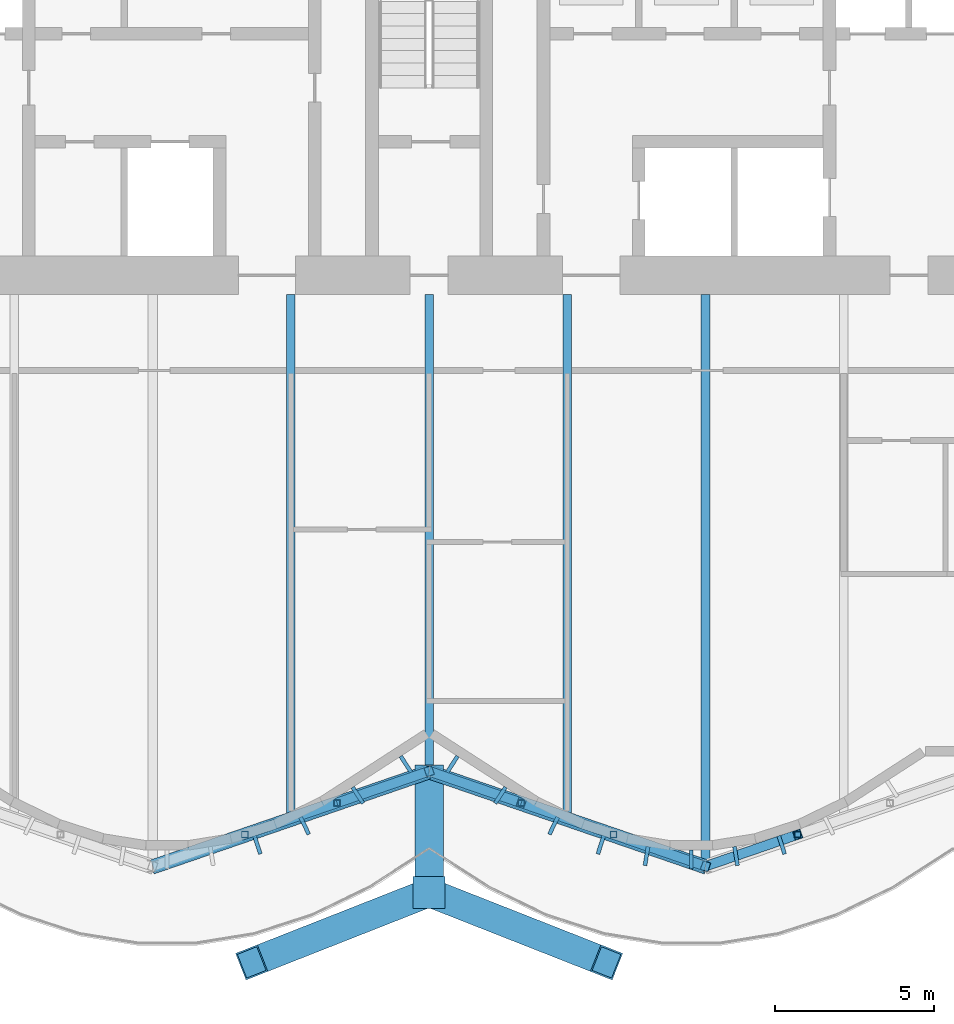
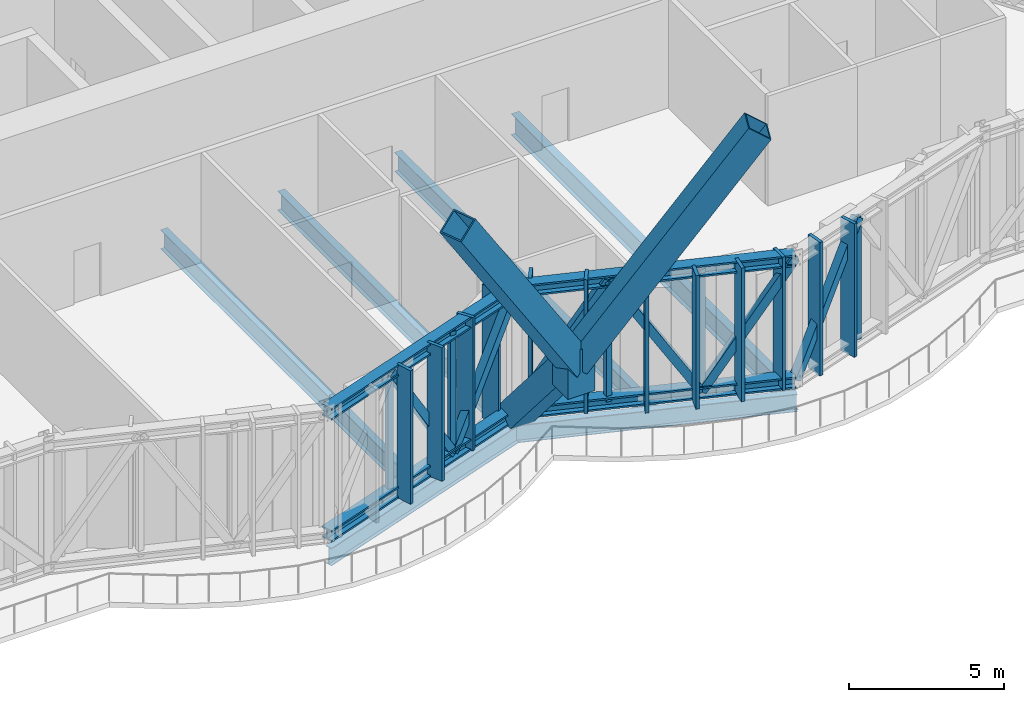
# One storey, part 11 of 31: 31 members, 6 beams, 1 element without a shape of its own.
"""IFC4 building model written with IfcOpenShell, lengths in metres."""

from ifc_helpers import new_model, si_unit, direction, frame, origin, origin_2d, place, context, subcontext, project, spatial, rectangle, hollow_rectangle, i_section, extrude, material, material_profile, profile_set, type_object, element, aggregate, save


model = new_model("IFC4")

# Units and contexts
model_context = context("Model", 3, precision=1e-05, world=origin(), true_north=direction((0.0, 1.0)))
body_context = subcontext(model_context, "Body", "Model", "MODEL_VIEW")
ifc_project = project(units=[si_unit("LENGTHUNIT", "METRE"), si_unit("AREAUNIT", "SQUARE_METRE"), si_unit("VOLUMEUNIT", "CUBIC_METRE"), si_unit("PLANEANGLEUNIT", "RADIAN"), si_unit("MASSUNIT", "GRAM", prefix="KILO")], contexts=[model_context])

# Site, building, storey
site_placement = place(None, origin())
site = spatial("IfcSite", under=ifc_project, at=site_placement, CompositionType="ELEMENT")
building_placement = place(site_placement, origin())
building = spatial("IfcBuilding", under=site, at=building_placement, Name="Bicima Exchange Tower", CompositionType="ELEMENT")
storey_placement = place(building_placement, frame((0.0, 0.0, 236.0)))
storey = spatial("IfcBuildingStorey", under=building, at=storey_placement, Name="L53", CompositionType="ELEMENT", Elevation=236.0)

# Curtain wall, members
ifc_material_1 = material(Name="Anodised bronze aluminium", Category="aluminium")
curtain_wall_type = type_object("IfcCurtainWallType", Name="Band blade screen", PredefinedType="NOTDEFINED", material=ifc_material_1)
curtain_wall_placement = place(storey_placement, origin())
curtain_wall = element("IfcCurtainWall", 1, at=curtain_wall_placement, inside=storey, type_object=curtain_wall_type, Name="Band blade screen L53", PredefinedType="NOTDEFINED")
ifc_material_profile_1 = material_profile(ifc_material_1, rectangle(XDim=0.60009765625, YDim=0.1201171875, at=origin_2d()))
ifc_profile_set_1 = profile_set([ifc_material_profile_1], Name="Anodised bronze aluminium")
member_type_1 = type_object("IfcMemberType", Name="Band blade fin 600 x 120", PredefinedType="USERDEFINED", material=ifc_profile_set_1)
member_1_placement = place(storey_placement, frame((-5.403564453125, -30.330078125, 0.0), z_axis=(0.0, 0.0, 1.0), x_axis=(-0.307552591055, 0.951531083956, 0.0)))
member_1 = element("IfcMember", 2, at=member_1_placement, type_object=member_type_1, Name="Band blade fin 31", ObjectType="FIN", PredefinedType="USERDEFINED", context=body_context, shape_type="SweptSolid", body=[
    extrude(rectangle(XDim=0.60009765625, YDim=0.1201171875, at=origin_2d()), origin(), (0.0, 0.0, 1.0), 5.25),
])
member_2_placement = place(storey_placement, frame((-3.916259765625, -29.7265625, 0.0), z_axis=(0.0, 0.0, 1.0), x_axis=(-0.436286748784, 0.899807686584, 0.0)))
member_2 = element("IfcMember", 3, at=member_2_placement, type_object=member_type_1, Name="Band blade fin 32", ObjectType="FIN", PredefinedType="USERDEFINED", context=body_context, shape_type="SweptSolid", body=[
    extrude(rectangle(XDim=0.60009765625, YDim=0.1201171875, at=origin_2d()), origin(), (0.0, 0.0, 1.0), 5.25),
])
member_3_placement = place(storey_placement, frame((-2.242919921875, -28.766845703125, 0.0), z_axis=(0.0, 0.0, 1.0), x_axis=(-0.542909183079, 0.839791413941, 0.0)))
member_3 = element("IfcMember", 4, at=member_3_placement, type_object=member_type_1, Name="Band blade fin 33", ObjectType="FIN", PredefinedType="USERDEFINED", context=body_context, shape_type="SweptSolid", body=[
    extrude(rectangle(XDim=0.60009765625, YDim=0.1201171875, at=origin_2d()), origin(), (0.0, 0.0, 1.0), 5.25),
])
member_4_placement = place(storey_placement, frame((-0.731201171875, -27.789794921875, 0.0), z_axis=(0.0, 0.0, 1.0), x_axis=(-0.542909183079, 0.839791413941, 0.0)))
member_4 = element("IfcMember", 5, at=member_4_placement, type_object=member_type_1, Name="Band blade fin 34", ObjectType="FIN", PredefinedType="USERDEFINED", context=body_context, shape_type="SweptSolid", body=[
    extrude(rectangle(XDim=0.60009765625, YDim=0.1201171875, at=origin_2d()), origin(), (0.0, 0.0, 1.0), 5.25),
])
member_5_placement = place(storey_placement, frame((0.731201171875, -27.789794921875, 0.0), z_axis=(0.0, 0.0, 1.0), x_axis=(0.542909183079, 0.839791413941, 0.0)))
member_5 = element("IfcMember", 6, at=member_5_placement, type_object=member_type_1, Name="Band blade fin 35", ObjectType="FIN", PredefinedType="USERDEFINED", context=body_context, shape_type="SweptSolid", body=[
    extrude(rectangle(XDim=0.60009765625, YDim=0.1201171875, at=origin_2d()), origin(), (0.0, 0.0, 1.0), 5.25),
])
member_6_placement = place(storey_placement, frame((2.242919921875, -28.766845703125, 0.0), z_axis=(0.0, 0.0, 1.0), x_axis=(0.542909183079, 0.839791413941, 0.0)))
member_6 = element("IfcMember", 7, at=member_6_placement, type_object=member_type_1, Name="Band blade fin 36", ObjectType="FIN", PredefinedType="USERDEFINED", context=body_context, shape_type="SweptSolid", body=[
    extrude(rectangle(XDim=0.60009765625, YDim=0.1201171875, at=origin_2d()), origin(), (0.0, 0.0, 1.0), 5.25),
])
member_7_placement = place(storey_placement, frame((3.916259765625, -29.7265625, 0.0), z_axis=(0.0, 0.0, 1.0), x_axis=(0.436286748784, 0.899807686584, 0.0)))
member_7 = element("IfcMember", 8, at=member_7_placement, type_object=member_type_1, Name="Band blade fin 37", ObjectType="FIN", PredefinedType="USERDEFINED", context=body_context, shape_type="SweptSolid", body=[
    extrude(rectangle(XDim=0.60009765625, YDim=0.1201171875, at=origin_2d()), origin(), (0.0, 0.0, 1.0), 5.25),
])
member_8_placement = place(storey_placement, frame((5.403564453125, -30.330078125, 0.0), z_axis=(0.0, 0.0, 1.0), x_axis=(0.307552591055, 0.951531083956, 0.0)))
member_8 = element("IfcMember", 9, at=member_8_placement, type_object=member_type_1, Name="Band blade fin 38", ObjectType="FIN", PredefinedType="USERDEFINED", context=body_context, shape_type="SweptSolid", body=[
    extrude(rectangle(XDim=0.60009765625, YDim=0.1201171875, at=origin_2d()), origin(), (0.0, 0.0, 1.0), 5.25),
])
member_9_placement = place(storey_placement, frame((6.84130859375, -30.680419921875, 0.0), z_axis=(0.0, 0.0, 1.0), x_axis=(0.159533156447, 0.987192570877, 0.0)))
member_9 = element("IfcMember", 10, at=member_9_placement, type_object=member_type_1, Name="Band blade fin 39", ObjectType="FIN", PredefinedType="USERDEFINED", context=body_context, shape_type="SweptSolid", body=[
    extrude(rectangle(XDim=0.60009765625, YDim=0.1201171875, at=origin_2d()), origin(), (0.0, 0.0, 1.0), 5.25),
])
member_10_placement = place(storey_placement, frame((8.25, -30.794921875, 0.0), z_axis=(0.0, 0.0, 1.0), x_axis=(0.0, 1.0, 0.0)))
member_10 = element("IfcMember", 11, at=member_10_placement, type_object=member_type_1, Name="Band blade fin 40", ObjectType="FIN", PredefinedType="USERDEFINED", context=body_context, shape_type="SweptSolid", body=[
    extrude(rectangle(XDim=0.60009765625, YDim=0.1201171875, at=origin_2d()), origin(), (0.0, 0.0, 1.0), 5.25),
])
member_11_placement = place(storey_placement, frame((9.65869140625, -30.680419921875, 0.0), z_axis=(0.0, 0.0, 1.0), x_axis=(-0.159533156447, 0.987192570877, 0.0)))
member_11 = element("IfcMember", 12, at=member_11_placement, type_object=member_type_1, Name="Band blade fin 41", ObjectType="FIN", PredefinedType="USERDEFINED", context=body_context, shape_type="SweptSolid", body=[
    extrude(rectangle(XDim=0.60009765625, YDim=0.1201171875, at=origin_2d()), origin(), (0.0, 0.0, 1.0), 5.25),
])
member_12_placement = place(storey_placement, frame((11.096435546875, -30.330078125, 0.0), z_axis=(0.0, 0.0, 1.0), x_axis=(-0.307552591055, 0.951531083956, 0.0)))
member_12 = element("IfcMember", 13, at=member_12_placement, type_object=member_type_1, Name="Band blade fin 42", ObjectType="FIN", PredefinedType="USERDEFINED", context=body_context, shape_type="SweptSolid", body=[
    extrude(rectangle(XDim=0.60009765625, YDim=0.1201171875, at=origin_2d()), origin(), (0.0, 0.0, 1.0), 5.25),
])
aggregate(curtain_wall, [member_1, member_2, member_3, member_4, member_5, member_6, member_7, member_8, member_9, member_10, member_11, member_12])

# Members
ifc_material_2 = material(Name="Steel ASTM A992 Gr 50", Category="steel")
ifc_material_profile_2 = material_profile(ifc_material_2, i_section(OverallWidth=0.419189453125, OverallDepth=0.45458984375, WebThickness=0.042236328125, FlangeThickness=0.067626953125, at=origin_2d()))
ifc_profile_set_2 = profile_set([ifc_material_profile_2], Name="Steel ASTM A992 Gr 50")
member_type_2 = type_object("IfcMemberType", Name="Belt truss chord W14x370", PredefinedType="CHORD", material=ifc_profile_set_2)
for number, where, z_axis, x_axis, name in (
    (14, (-8.699951171875, -31.001220703125, 5.022705078125), (0.945666456746, 0.325138359143, 0.0), (-0.325138359143, 0.945666456746, 0.0), "Top chord"),
    (15, (-8.699951171875, -31.001220703125, 0.227294921875), (0.945666456746, 0.325138359143, 0.0), (-0.325138359143, 0.945666456746, 0.0), "Bottom chord"),
    (16, (0.0, -28.010009765625, 5.022705078125), (0.945666456746, -0.325138359143, 0.0), (0.325138359143, 0.945666456746, 0.0), "Top chord"),
    (17, (0.0, -28.010009765625, 0.227294921875), (0.945666456746, -0.325138359143, 0.0), (0.325138359143, 0.945666456746, 0.0), "Bottom chord"),
):
    element("IfcMember", number, at=place(storey_placement, frame(where, z_axis=z_axis, x_axis=x_axis)), inside=storey, type_object=member_type_2, Name=name, PredefinedType="CHORD", context=body_context, shape_type="SweptSolid", body=[
        extrude(i_section(OverallWidth=0.419189453125, OverallDepth=0.45458984375, WebThickness=0.042236328125, FlangeThickness=0.067626953125, at=origin_2d()), origin(), (0.0, 0.0, 1.0), 9.19970703125),
    ])
ifc_material_3 = material(Name="Steel ASTM A572 Gr 50", Category="steel")
ifc_material_profile_3 = material_profile(ifc_material_3, hollow_rectangle(XDim=0.3046875, YDim=0.3046875, WallThickness=0.01171875, at=origin_2d()))
ifc_profile_set_3 = profile_set([ifc_material_profile_3], Name="Steel ASTM A572 Gr 50")
member_type_3 = type_object("IfcMemberType", Name="Belt truss diagonal HSS12x12x1/2", PredefinedType="STRUT", material=ifc_profile_set_3)
for number, where, z_axis, x_axis, name in (
    (18, (-5.800048828125, -30.00390625, 5.022705078125), (0.509500101887, 0.175123235626, -0.842461570946), (-0.325050844265, 0.94569654152, 0.0), "Truss diagonal"),
    (19, (-2.89990234375, -29.007080078125, 0.227294921875), (0.509464516765, 0.175168638362, 0.842473651987), (-0.325146518908, 0.945663651222, 0.0), "Truss diagonal"),
    (20, (0.0, -28.010009765625, 0.227294921875), (0.509464516765, -0.175168638362, 0.842473651987), (0.325146518908, 0.945663651222, 0.0), "Truss diagonal"),
    (21, (2.89990234375, -29.007080078125, 5.022705078125), (0.509500101887, -0.175123235626, -0.842461570946), (0.325050844265, 0.94569654152, 0.0), "Truss diagonal"),
    (22, (5.800048828125, -30.00390625, 0.227294921875), (0.509460688613, -0.17521021325, 0.842467321581), (0.325217713975, 0.945639169301, 0.0), "Truss diagonal"),
    (23, (8.699951171875, -31.001220703125, 0.227294921875), (0.509492446291, 0.175206384637, 0.842448912371), (-0.325193231743, 0.945647588708, 0.0), "Truss diagonal"),
):
    element("IfcMember", number, at=place(storey_placement, frame(where, z_axis=z_axis, x_axis=x_axis)), inside=storey, type_object=member_type_3, Name=name, PredefinedType="STRUT", context=body_context, shape_type="SweptSolid", body=[
        extrude(hollow_rectangle(XDim=0.3046875, YDim=0.3046875, WallThickness=0.01171875, at=origin_2d()), origin(), (0.0, 0.0, 1.0), 5.692138671875),
    ])
ifc_material_profile_4 = material_profile(ifc_material_3, hollow_rectangle(XDim=0.203125, YDim=0.203125, WallThickness=0.01171875, at=origin_2d()))
ifc_profile_set_4 = profile_set([ifc_material_profile_4], Name="Steel ASTM A572 Gr 50")
member_type_4 = type_object("IfcMemberType", Name="Belt truss post HSS8x8x1/2", PredefinedType="POST", material=ifc_profile_set_4)
for number, where, z_axis, x_axis, name in (
    (24, (-5.800048828125, -30.00390625, 0.227294921875), (0.0, 0.0, 1.0), (1.0, 0.0, 0.0), "Truss post"),
    (25, (-2.89990234375, -29.007080078125, 0.227294921875), (0.0, 0.0, 1.0), (1.0, 0.0, 0.0), "Truss post"),
    (26, (2.89990234375, -29.007080078125, 0.227294921875), (0.0, 0.0, 1.0), (1.0, 0.0, 0.0), "Truss post"),
    (27, (5.800048828125, -30.00390625, 0.227294921875), (0.0, 0.0, 1.0), (1.0, 0.0, 0.0), "Truss post"),
    (28, (11.60009765625, -30.00390625, 0.227294921875), (0.0, 0.0, 1.0), (1.0, 0.0, 0.0), "Truss post"),
):
    element("IfcMember", number, at=place(storey_placement, frame(where, z_axis=z_axis, x_axis=x_axis)), inside=storey, type_object=member_type_4, Name=name, PredefinedType="POST", context=body_context, shape_type="SweptSolid", body=[
        extrude(hollow_rectangle(XDim=0.203125, YDim=0.203125, WallThickness=0.01171875, at=origin_2d()), origin(), (0.0, 0.0, 1.0), 4.79541015625),
    ])
ifc_material_profile_5 = material_profile(ifc_material_3, hollow_rectangle(XDim=0.89990234375, YDim=0.89990234375, WallThickness=0.050048828125, at=origin_2d()))
ifc_profile_set_5 = profile_set([ifc_material_profile_5], Name="Steel ASTM A572 Gr 50")
member_type_5 = type_object("IfcMemberType", Name="Exo mega brace BOX 900x900x50", PredefinedType="BRACE", material=ifc_profile_set_5)
for number, where, z_axis, x_axis, name in (
    (29, (0.0, -31.82861328125, 4.5), (0.532420302499, -0.209648206043, 0.820107463196), (0.366383630861, 0.93046388164, 0.0), "Exo mega brace front"),
    (30, (0.0, -31.82861328125, 4.5), (-0.532420302499, -0.209648206043, 0.820107463196), (0.366383630861, -0.93046388164, 0.0), "Exo mega brace front"),
):
    element("IfcMember", number, at=place(storey_placement, frame(where, z_axis=z_axis, x_axis=x_axis)), inside=storey, type_object=member_type_5, Name=name, PredefinedType="BRACE", context=body_context, shape_type="SweptSolid", body=[
        extrude(hollow_rectangle(XDim=0.89990234375, YDim=0.89990234375, WallThickness=0.050048828125, at=origin_2d()), origin(), (0.0, 0.0, 1.0), 10.486572265625),
    ])
ifc_material_4 = material(Name="Cast steel ASTM A216 Gr WCB", Category="steel")
ifc_material_profile_6 = material_profile(ifc_material_4, rectangle(XDim=1.0, YDim=1.0, at=origin_2d()))
ifc_profile_set_6 = profile_set([ifc_material_profile_6], Name="Cast steel ASTM A216 Gr WCB")
member_type_6 = type_object("IfcMemberType", Name="Exo node block", PredefinedType="POST", material=ifc_profile_set_6)
member_13_placement = place(storey_placement, frame((0.0, -31.82861328125, 3.449951171875), z_axis=(0.0, 0.0, 1.0), x_axis=(1.0, 0.0, 0.0)))
element("IfcMember", 31, at=member_13_placement, inside=storey, type_object=member_type_6, Name="Exo node block", PredefinedType="POST", context=body_context, shape_type="SweptSolid", body=[
    extrude(rectangle(XDim=1.0, YDim=1.0, at=origin_2d()), origin(), (0.0, 0.0, 1.0), 1.800048828125),
])
member_type_7 = type_object("IfcMemberType", Name="Exo outrigger stub BOX 900x900x50", PredefinedType="STRUT", material=ifc_profile_set_5)
member_14_placement = place(storey_placement, frame((0.0, -28.159912109375, 0.227294921875), z_axis=(0.0, -0.651444466604, 0.758696320626), x_axis=(1.0, 0.0, 0.0)))
element("IfcMember", 32, at=member_14_placement, inside=storey, type_object=member_type_7, Name="Exo outrigger stub", PredefinedType="STRUT", context=body_context, shape_type="SweptSolid", body=[
    extrude(hollow_rectangle(XDim=0.89990234375, YDim=0.89990234375, WallThickness=0.050048828125, at=origin_2d()), origin(), (0.0, 0.0, 1.0), 5.631591796875),
])

# Beams
ifc_material_profile_7 = material_profile(ifc_material_2, i_section(OverallWidth=0.2666015625, OverallDepth=0.75439453125, WebThickness=0.01318359375, FlangeThickness=0.01708984375, at=origin_2d()))
ifc_profile_set_7 = profile_set([ifc_material_profile_7], Name="Steel ASTM A992 Gr 50")
beam_type_1 = type_object("IfcBeamType", Name="Floor beam W30x99", PredefinedType="JOIST", material=ifc_profile_set_7)
beam_1_placement = place(storey_placement, frame((-4.35009765625, -13.0, -0.5771484375), z_axis=(0.0, -1.0, 0.0), x_axis=(1.0, 0.0, 0.0)))
element("IfcBeam", 33, at=beam_1_placement, inside=storey, type_object=beam_type_1, Name="Floor beam", PredefinedType="JOIST", context=body_context, shape_type="SweptSolid", body=[
    extrude(i_section(OverallWidth=0.2666015625, OverallDepth=0.75439453125, WebThickness=0.01318359375, FlangeThickness=0.01708984375, at=origin_2d()), origin(), (0.0, 0.0, 1.0), 16.491943359375),
])
beam_2_placement = place(storey_placement, frame((0.0, -13.0, -0.5771484375), z_axis=(0.0, -1.0, 0.0), x_axis=(1.0, 0.0, 0.0)))
element("IfcBeam", 34, at=beam_2_placement, inside=storey, type_object=beam_type_1, Name="Floor beam", PredefinedType="JOIST", context=body_context, shape_type="SweptSolid", body=[
    extrude(i_section(OverallWidth=0.2666015625, OverallDepth=0.75439453125, WebThickness=0.01318359375, FlangeThickness=0.01708984375, at=origin_2d()), origin(), (0.0, 0.0, 1.0), 15.132080078125),
])
beam_3_placement = place(storey_placement, frame((4.35009765625, -13.0, -0.5771484375), z_axis=(0.0, -1.0, 0.0), x_axis=(1.0, 0.0, 0.0)))
element("IfcBeam", 35, at=beam_3_placement, inside=storey, type_object=beam_type_1, Name="Floor beam", PredefinedType="JOIST", context=body_context, shape_type="SweptSolid", body=[
    extrude(i_section(OverallWidth=0.2666015625, OverallDepth=0.75439453125, WebThickness=0.01318359375, FlangeThickness=0.01708984375, at=origin_2d()), origin(), (0.0, 0.0, 1.0), 16.491943359375),
])
ifc_material_profile_8 = material_profile(ifc_material_2, i_section(OverallWidth=0.2919921875, OverallDepth=0.835693359375, WebThickness=0.013916015625, FlangeThickness=0.018798828125, at=origin_2d()))
ifc_profile_set_8 = profile_set([ifc_material_profile_8], Name="Steel ASTM A992 Gr 50")
beam_type_2 = type_object("IfcBeamType", Name="Floor beam W33x118", PredefinedType="JOIST", material=ifc_profile_set_8)
beam_4_placement = place(storey_placement, frame((8.699951171875, -13.0, -0.617919921875), z_axis=(0.0, -1.0, 0.0), x_axis=(1.0, 0.0, 0.0)))
element("IfcBeam", 36, at=beam_4_placement, inside=storey, type_object=beam_type_2, Name="Floor beam", PredefinedType="JOIST", context=body_context, shape_type="SweptSolid", body=[
    extrude(i_section(OverallWidth=0.2919921875, OverallDepth=0.835693359375, WebThickness=0.013916015625, FlangeThickness=0.018798828125, at=origin_2d()), origin(), (0.0, 0.0, 1.0), 17.9873046875),
])
ifc_material_profile_9 = material_profile(ifc_material_2, i_section(OverallWidth=0.256591796875, OverallDepth=0.693359375, WebThickness=0.014404296875, FlangeThickness=0.023681640625, at=origin_2d()))
ifc_profile_set_9 = profile_set([ifc_material_profile_9], Name="Steel ASTM A992 Gr 50")
beam_type_3 = type_object("IfcBeamType", Name="Front girder W27x114", PredefinedType="BEAM", material=ifc_profile_set_9)
for number, where, z_axis, x_axis, name in (
    (37, (-8.699951171875, -31.123046875, -0.546630859375), (0.945674616091, 0.32511462668, 0.0), (-0.32511462668, 0.945674616091, 0.0), "Front girder"),
    (38, (0.0, -28.132080078125, -0.546630859375), (0.945674616091, -0.32511462668, 0.0), (0.32511462668, 0.945674616091, 0.0), "Front girder"),
):
    element("IfcBeam", number, at=place(storey_placement, frame(where, z_axis=z_axis, x_axis=x_axis)), inside=storey, type_object=beam_type_3, Name=name, PredefinedType="BEAM", context=body_context, shape_type="SweptSolid", body=[
        extrude(i_section(OverallWidth=0.256591796875, OverallDepth=0.693359375, WebThickness=0.014404296875, FlangeThickness=0.023681640625, at=origin_2d()), origin(), (0.0, 0.0, 1.0), 9.19970703125),
    ])

save(model, "model.ifc")
